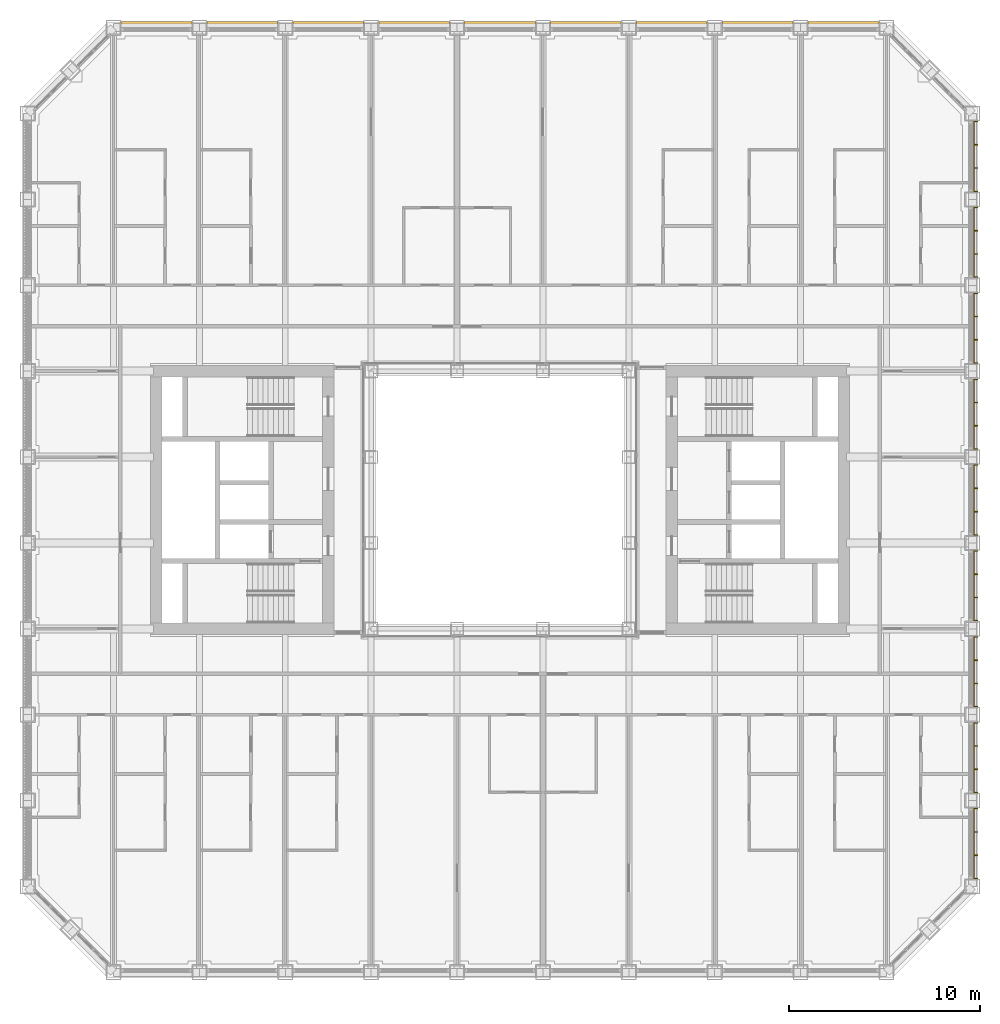
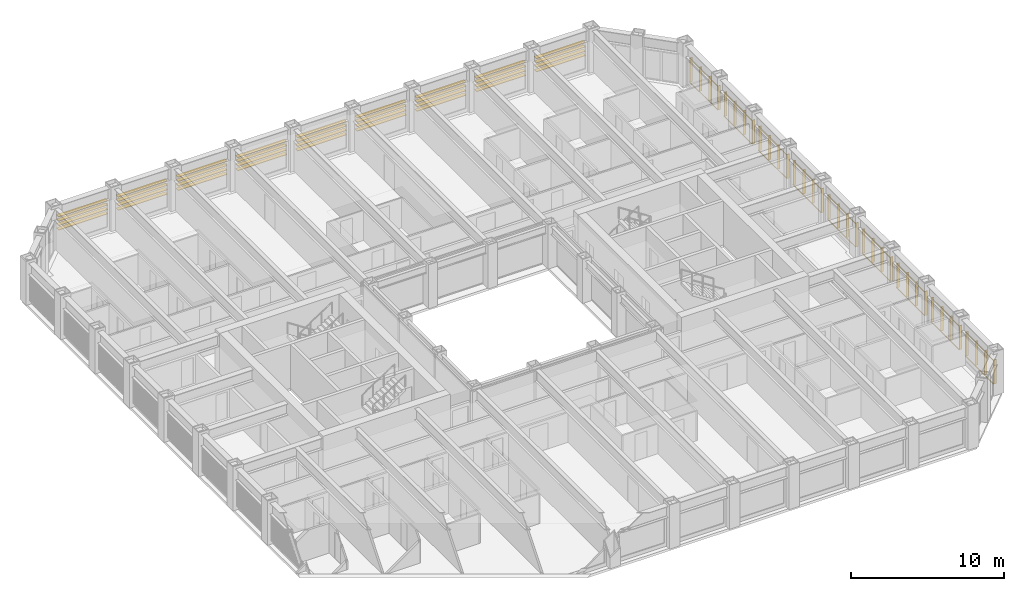
# One storey, part 21 of 21: 2 shading devices.
"""IFC4 building model written with IfcOpenShell, lengths in metres."""

from ifc_helpers import new_model, si_unit, direction, frame, origin, origin_2d, place, context, subcontext, project, spatial, rectangle, extrude, material, type_object, element, save


model = new_model("IFC4")

# Units and contexts
model_context = context("Model", 3, precision=1e-05, world=origin(), true_north=direction((0.0, 1.0)))
body_context = subcontext(model_context, "Body", "Model", "MODEL_VIEW")
ifc_project = project(units=[si_unit("LENGTHUNIT", "METRE"), si_unit("AREAUNIT", "SQUARE_METRE"), si_unit("VOLUMEUNIT", "CUBIC_METRE"), si_unit("PLANEANGLEUNIT", "RADIAN"), si_unit("MASSUNIT", "GRAM", prefix="KILO")], contexts=[model_context])

# Site, building, storey
site_placement = place(None, origin())
site = spatial("IfcSite", under=ifc_project, at=site_placement, CompositionType="ELEMENT")
building_placement = place(site_placement, origin())
building = spatial("IfcBuilding", under=site, at=building_placement, Name="Msasa Ring Tower", CompositionType="ELEMENT")
storey_placement = place(building_placement, frame((0.0, 0.0, 86.0)))
storey = spatial("IfcBuildingStorey", under=building, at=storey_placement, Name="L22", CompositionType="ELEMENT", Elevation=86.0)

# Shading devices
ifc_material_1 = material(Name="Extruded terracotta on aluminium carriers", Category="masonry")
shading_device_type_1 = type_object("IfcShadingDeviceType", Name="BS2 TERRACOTTA FIN SCREEN 40x200 AT 1350", PredefinedType="USERDEFINED", material=ifc_material_1)
shading_device_1_placement = place(storey_placement, origin())
element("IfcShadingDevice", 1, at=shading_device_1_placement, inside=storey, type_object=shading_device_type_1, Name="Terracotta fin screen E L22", ObjectType="BAGUETTE", PredefinedType="USERDEFINED", context=body_context, shape_type="SweptSolid", body=[
    extrude(rectangle(XDim=0.06005859375, YDim=0.0400390625, at=origin_2d()), frame((24.830078125, -19.85009765625, 0.330078125), z_axis=(0.0, 1.0, 0.0), x_axis=(0.0, 0.0, 1.0)), (0.0, 0.0, 1.0), 3.699951171875),
    extrude(rectangle(XDim=0.06005859375, YDim=0.0400390625, at=origin_2d()), frame((24.830078125, -19.85009765625, 2.198974609375), z_axis=(0.0, 1.0, 0.0), x_axis=(0.0, 0.0, 1.0)), (0.0, 0.0, 1.0), 3.699951171875),
    extrude(rectangle(XDim=0.0400390625, YDim=0.199951171875, at=origin_2d()), frame((24.945068359375, -19.830078125, 0.300048828125), z_axis=(0.0, 0.0, 1.0), x_axis=(0.0, 1.0, 0.0)), (0.0, 0.0, 1.0), 1.928955078125),
    extrude(rectangle(XDim=0.0400390625, YDim=0.199951171875, at=origin_2d()), frame((24.945068359375, -18.610107421875, 0.300048828125), z_axis=(0.0, 0.0, 1.0), x_axis=(0.0, 1.0, 0.0)), (0.0, 0.0, 1.0), 1.928955078125),
    extrude(rectangle(XDim=0.0400390625, YDim=0.199951171875, at=origin_2d()), frame((24.945068359375, -17.389892578125, 0.300048828125), z_axis=(0.0, 0.0, 1.0), x_axis=(0.0, 1.0, 0.0)), (0.0, 0.0, 1.0), 1.928955078125),
    extrude(rectangle(XDim=0.0400390625, YDim=0.199951171875, at=origin_2d()), frame((24.945068359375, -16.169921875, 0.300048828125), z_axis=(0.0, 0.0, 1.0), x_axis=(0.0, 1.0, 0.0)), (0.0, 0.0, 1.0), 1.928955078125),
    extrude(rectangle(XDim=0.06005859375, YDim=0.0400390625, at=origin_2d()), frame((24.830078125, -15.35009765625, 0.330078125), z_axis=(0.0, 1.0, 0.0), x_axis=(0.0, 0.0, 1.0)), (0.0, 0.0, 1.0), 3.699951171875),
    extrude(rectangle(XDim=0.06005859375, YDim=0.0400390625, at=origin_2d()), frame((24.830078125, -15.35009765625, 2.198974609375), z_axis=(0.0, 1.0, 0.0), x_axis=(0.0, 0.0, 1.0)), (0.0, 0.0, 1.0), 3.699951171875),
    extrude(rectangle(XDim=0.0400390625, YDim=0.199951171875, at=origin_2d()), frame((24.945068359375, -15.330078125, 0.300048828125), z_axis=(0.0, 0.0, 1.0), x_axis=(0.0, 1.0, 0.0)), (0.0, 0.0, 1.0), 1.928955078125),
    extrude(rectangle(XDim=0.0400390625, YDim=0.199951171875, at=origin_2d()), frame((24.945068359375, -14.110107421875, 0.300048828125), z_axis=(0.0, 0.0, 1.0), x_axis=(0.0, 1.0, 0.0)), (0.0, 0.0, 1.0), 1.928955078125),
    extrude(rectangle(XDim=0.0400390625, YDim=0.199951171875, at=origin_2d()), frame((24.945068359375, -12.889892578125, 0.300048828125), z_axis=(0.0, 0.0, 1.0), x_axis=(0.0, 1.0, 0.0)), (0.0, 0.0, 1.0), 1.928955078125),
    extrude(rectangle(XDim=0.0400390625, YDim=0.199951171875, at=origin_2d()), frame((24.945068359375, -11.669921875, 0.300048828125), z_axis=(0.0, 0.0, 1.0), x_axis=(0.0, 1.0, 0.0)), (0.0, 0.0, 1.0), 1.928955078125),
    extrude(rectangle(XDim=0.06005859375, YDim=0.0400390625, at=origin_2d()), frame((24.830078125, -10.85009765625, 0.330078125), z_axis=(0.0, 1.0, 0.0), x_axis=(0.0, 0.0, 1.0)), (0.0, 0.0, 1.0), 3.699951171875),
    extrude(rectangle(XDim=0.06005859375, YDim=0.0400390625, at=origin_2d()), frame((24.830078125, -10.85009765625, 2.198974609375), z_axis=(0.0, 1.0, 0.0), x_axis=(0.0, 0.0, 1.0)), (0.0, 0.0, 1.0), 3.699951171875),
    extrude(rectangle(XDim=0.0400390625, YDim=0.199951171875, at=origin_2d()), frame((24.945068359375, -10.830078125, 0.300048828125), z_axis=(0.0, 0.0, 1.0), x_axis=(0.0, 1.0, 0.0)), (0.0, 0.0, 1.0), 1.928955078125),
    extrude(rectangle(XDim=0.0400390625, YDim=0.199951171875, at=origin_2d()), frame((24.945068359375, -9.610107421875, 0.300048828125), z_axis=(0.0, 0.0, 1.0), x_axis=(0.0, 1.0, 0.0)), (0.0, 0.0, 1.0), 1.928955078125),
    extrude(rectangle(XDim=0.0400390625, YDim=0.199951171875, at=origin_2d()), frame((24.945068359375, -8.389892578125, 0.300048828125), z_axis=(0.0, 0.0, 1.0), x_axis=(0.0, 1.0, 0.0)), (0.0, 0.0, 1.0), 1.928955078125),
    extrude(rectangle(XDim=0.0400390625, YDim=0.199951171875, at=origin_2d()), frame((24.945068359375, -7.169921875, 0.300048828125), z_axis=(0.0, 0.0, 1.0), x_axis=(0.0, 1.0, 0.0)), (0.0, 0.0, 1.0), 1.928955078125),
    extrude(rectangle(XDim=0.06005859375, YDim=0.0400390625, at=origin_2d()), frame((24.830078125, -6.35009765625, 0.330078125), z_axis=(0.0, 1.0, 0.0), x_axis=(0.0, 0.0, 1.0)), (0.0, 0.0, 1.0), 3.699951171875),
    extrude(rectangle(XDim=0.06005859375, YDim=0.0400390625, at=origin_2d()), frame((24.830078125, -6.35009765625, 2.198974609375), z_axis=(0.0, 1.0, 0.0), x_axis=(0.0, 0.0, 1.0)), (0.0, 0.0, 1.0), 3.699951171875),
    extrude(rectangle(XDim=0.0400390625, YDim=0.199951171875, at=origin_2d()), frame((24.945068359375, -6.330078125, 0.300048828125), z_axis=(0.0, 0.0, 1.0), x_axis=(0.0, 1.0, 0.0)), (0.0, 0.0, 1.0), 1.928955078125),
    extrude(rectangle(XDim=0.0400390625, YDim=0.199951171875, at=origin_2d()), frame((24.945068359375, -5.110107421875, 0.300048828125), z_axis=(0.0, 0.0, 1.0), x_axis=(0.0, 1.0, 0.0)), (0.0, 0.0, 1.0), 1.928955078125),
    extrude(rectangle(XDim=0.0400390625, YDim=0.199951171875, at=origin_2d()), frame((24.945068359375, -3.889892578125, 0.300048828125), z_axis=(0.0, 0.0, 1.0), x_axis=(0.0, 1.0, 0.0)), (0.0, 0.0, 1.0), 1.928955078125),
    extrude(rectangle(XDim=0.0400390625, YDim=0.199951171875, at=origin_2d()), frame((24.945068359375, -2.669921875, 0.300048828125), z_axis=(0.0, 0.0, 1.0), x_axis=(0.0, 1.0, 0.0)), (0.0, 0.0, 1.0), 1.928955078125),
    extrude(rectangle(XDim=0.06005859375, YDim=0.0400390625, at=origin_2d()), frame((24.830078125, -1.85009765625, 0.330078125), z_axis=(0.0, 1.0, 0.0), x_axis=(0.0, 0.0, 1.0)), (0.0, 0.0, 1.0), 3.699951171875),
    extrude(rectangle(XDim=0.06005859375, YDim=0.0400390625, at=origin_2d()), frame((24.830078125, -1.85009765625, 2.198974609375), z_axis=(0.0, 1.0, 0.0), x_axis=(0.0, 0.0, 1.0)), (0.0, 0.0, 1.0), 3.699951171875),
    extrude(rectangle(XDim=0.0400390625, YDim=0.199951171875, at=origin_2d()), frame((24.945068359375, -1.830078125, 0.300048828125), z_axis=(0.0, 0.0, 1.0), x_axis=(0.0, 1.0, 0.0)), (0.0, 0.0, 1.0), 1.928955078125),
    extrude(rectangle(XDim=0.0400390625, YDim=0.199951171875, at=origin_2d()), frame((24.945068359375, -0.610107421875, 0.300048828125), z_axis=(0.0, 0.0, 1.0), x_axis=(0.0, 1.0, 0.0)), (0.0, 0.0, 1.0), 1.928955078125),
    extrude(rectangle(XDim=0.0400390625, YDim=0.199951171875, at=origin_2d()), frame((24.945068359375, 0.610107421875, 0.300048828125), z_axis=(0.0, 0.0, 1.0), x_axis=(0.0, 1.0, 0.0)), (0.0, 0.0, 1.0), 1.928955078125),
    extrude(rectangle(XDim=0.0400390625, YDim=0.199951171875, at=origin_2d()), frame((24.945068359375, 1.830078125, 0.300048828125), z_axis=(0.0, 0.0, 1.0), x_axis=(0.0, 1.0, 0.0)), (0.0, 0.0, 1.0), 1.928955078125),
    extrude(rectangle(XDim=0.06005859375, YDim=0.0400390625, at=origin_2d()), frame((24.830078125, 2.64990234375, 0.330078125), z_axis=(0.0, 1.0, 0.0), x_axis=(0.0, 0.0, 1.0)), (0.0, 0.0, 1.0), 3.699951171875),
    extrude(rectangle(XDim=0.06005859375, YDim=0.0400390625, at=origin_2d()), frame((24.830078125, 2.64990234375, 2.198974609375), z_axis=(0.0, 1.0, 0.0), x_axis=(0.0, 0.0, 1.0)), (0.0, 0.0, 1.0), 3.699951171875),
    extrude(rectangle(XDim=0.0400390625, YDim=0.199951171875, at=origin_2d()), frame((24.945068359375, 2.669921875, 0.300048828125), z_axis=(0.0, 0.0, 1.0), x_axis=(0.0, 1.0, 0.0)), (0.0, 0.0, 1.0), 1.928955078125),
    extrude(rectangle(XDim=0.0400390625, YDim=0.199951171875, at=origin_2d()), frame((24.945068359375, 3.889892578125, 0.300048828125), z_axis=(0.0, 0.0, 1.0), x_axis=(0.0, 1.0, 0.0)), (0.0, 0.0, 1.0), 1.928955078125),
    extrude(rectangle(XDim=0.0400390625, YDim=0.199951171875, at=origin_2d()), frame((24.945068359375, 5.110107421875, 0.300048828125), z_axis=(0.0, 0.0, 1.0), x_axis=(0.0, 1.0, 0.0)), (0.0, 0.0, 1.0), 1.928955078125),
    extrude(rectangle(XDim=0.0400390625, YDim=0.199951171875, at=origin_2d()), frame((24.945068359375, 6.330078125, 0.300048828125), z_axis=(0.0, 0.0, 1.0), x_axis=(0.0, 1.0, 0.0)), (0.0, 0.0, 1.0), 1.928955078125),
    extrude(rectangle(XDim=0.06005859375, YDim=0.0400390625, at=origin_2d()), frame((24.830078125, 7.14990234375, 0.330078125), z_axis=(0.0, 1.0, 0.0), x_axis=(0.0, 0.0, 1.0)), (0.0, 0.0, 1.0), 3.699951171875),
    extrude(rectangle(XDim=0.06005859375, YDim=0.0400390625, at=origin_2d()), frame((24.830078125, 7.14990234375, 2.198974609375), z_axis=(0.0, 1.0, 0.0), x_axis=(0.0, 0.0, 1.0)), (0.0, 0.0, 1.0), 3.699951171875),
    extrude(rectangle(XDim=0.0400390625, YDim=0.199951171875, at=origin_2d()), frame((24.945068359375, 7.169921875, 0.300048828125), z_axis=(0.0, 0.0, 1.0), x_axis=(0.0, 1.0, 0.0)), (0.0, 0.0, 1.0), 1.928955078125),
    extrude(rectangle(XDim=0.0400390625, YDim=0.199951171875, at=origin_2d()), frame((24.945068359375, 8.389892578125, 0.300048828125), z_axis=(0.0, 0.0, 1.0), x_axis=(0.0, 1.0, 0.0)), (0.0, 0.0, 1.0), 1.928955078125),
    extrude(rectangle(XDim=0.0400390625, YDim=0.199951171875, at=origin_2d()), frame((24.945068359375, 9.610107421875, 0.300048828125), z_axis=(0.0, 0.0, 1.0), x_axis=(0.0, 1.0, 0.0)), (0.0, 0.0, 1.0), 1.928955078125),
    extrude(rectangle(XDim=0.0400390625, YDim=0.199951171875, at=origin_2d()), frame((24.945068359375, 10.830078125, 0.300048828125), z_axis=(0.0, 0.0, 1.0), x_axis=(0.0, 1.0, 0.0)), (0.0, 0.0, 1.0), 1.928955078125),
    extrude(rectangle(XDim=0.06005859375, YDim=0.0400390625, at=origin_2d()), frame((24.830078125, 11.64990234375, 0.330078125), z_axis=(0.0, 1.0, 0.0), x_axis=(0.0, 0.0, 1.0)), (0.0, 0.0, 1.0), 3.699951171875),
    extrude(rectangle(XDim=0.06005859375, YDim=0.0400390625, at=origin_2d()), frame((24.830078125, 11.64990234375, 2.198974609375), z_axis=(0.0, 1.0, 0.0), x_axis=(0.0, 0.0, 1.0)), (0.0, 0.0, 1.0), 3.699951171875),
    extrude(rectangle(XDim=0.0400390625, YDim=0.199951171875, at=origin_2d()), frame((24.945068359375, 11.669921875, 0.300048828125), z_axis=(0.0, 0.0, 1.0), x_axis=(0.0, 1.0, 0.0)), (0.0, 0.0, 1.0), 1.928955078125),
    extrude(rectangle(XDim=0.0400390625, YDim=0.199951171875, at=origin_2d()), frame((24.945068359375, 12.889892578125, 0.300048828125), z_axis=(0.0, 0.0, 1.0), x_axis=(0.0, 1.0, 0.0)), (0.0, 0.0, 1.0), 1.928955078125),
    extrude(rectangle(XDim=0.0400390625, YDim=0.199951171875, at=origin_2d()), frame((24.945068359375, 14.110107421875, 0.300048828125), z_axis=(0.0, 0.0, 1.0), x_axis=(0.0, 1.0, 0.0)), (0.0, 0.0, 1.0), 1.928955078125),
    extrude(rectangle(XDim=0.0400390625, YDim=0.199951171875, at=origin_2d()), frame((24.945068359375, 15.330078125, 0.300048828125), z_axis=(0.0, 0.0, 1.0), x_axis=(0.0, 1.0, 0.0)), (0.0, 0.0, 1.0), 1.928955078125),
    extrude(rectangle(XDim=0.06005859375, YDim=0.0400390625, at=origin_2d()), frame((24.830078125, 16.14990234375, 0.330078125), z_axis=(0.0, 1.0, 0.0), x_axis=(0.0, 0.0, 1.0)), (0.0, 0.0, 1.0), 3.699951171875),
    extrude(rectangle(XDim=0.06005859375, YDim=0.0400390625, at=origin_2d()), frame((24.830078125, 16.14990234375, 2.198974609375), z_axis=(0.0, 1.0, 0.0), x_axis=(0.0, 0.0, 1.0)), (0.0, 0.0, 1.0), 3.699951171875),
    extrude(rectangle(XDim=0.0400390625, YDim=0.199951171875, at=origin_2d()), frame((24.945068359375, 16.169921875, 0.300048828125), z_axis=(0.0, 0.0, 1.0), x_axis=(0.0, 1.0, 0.0)), (0.0, 0.0, 1.0), 1.928955078125),
    extrude(rectangle(XDim=0.0400390625, YDim=0.199951171875, at=origin_2d()), frame((24.945068359375, 17.389892578125, 0.300048828125), z_axis=(0.0, 0.0, 1.0), x_axis=(0.0, 1.0, 0.0)), (0.0, 0.0, 1.0), 1.928955078125),
    extrude(rectangle(XDim=0.0400390625, YDim=0.199951171875, at=origin_2d()), frame((24.945068359375, 18.610107421875, 0.300048828125), z_axis=(0.0, 0.0, 1.0), x_axis=(0.0, 1.0, 0.0)), (0.0, 0.0, 1.0), 1.928955078125),
    extrude(rectangle(XDim=0.0400390625, YDim=0.199951171875, at=origin_2d()), frame((24.945068359375, 19.830078125, 0.300048828125), z_axis=(0.0, 0.0, 1.0), x_axis=(0.0, 1.0, 0.0)), (0.0, 0.0, 1.0), 1.928955078125),
])
ifc_material_2 = material(Name="Extruded terracotta blades", Category="masonry")
shading_device_type_2 = type_object("IfcShadingDeviceType", Name="SS1 TERRACOTTA SUNSHADE 4 BLADES 300x40 AT 350", PredefinedType="USERDEFINED", material=ifc_material_2)
shading_device_2_placement = place(storey_placement, origin())
element("IfcShadingDevice", 2, at=shading_device_2_placement, inside=storey, type_object=shading_device_type_2, Name="Terracotta sunshade N L22", ObjectType="SUNSHADE", PredefinedType="USERDEFINED", context=body_context, shape_type="SweptSolid", body=[
    extrude(rectangle(XDim=0.0400390625, YDim=0.300048828125, at=origin_2d()), frame((-19.85009765625, 24.929931640625, 2.208984375), z_axis=(1.0, 0.0, 0.0), x_axis=(0.0, 0.0, 1.0)), (0.0, 0.0, 1.0), 3.699951171875),
    extrude(rectangle(XDim=0.0400390625, YDim=0.300048828125, at=origin_2d()), frame((-19.85009765625, 24.929931640625, 1.85888671875), z_axis=(1.0, 0.0, 0.0), x_axis=(0.0, 0.0, 1.0)), (0.0, 0.0, 1.0), 3.699951171875),
    extrude(rectangle(XDim=0.0400390625, YDim=0.300048828125, at=origin_2d()), frame((-19.85009765625, 24.929931640625, 1.509033203125), z_axis=(1.0, 0.0, 0.0), x_axis=(0.0, 0.0, 1.0)), (0.0, 0.0, 1.0), 3.699951171875),
    extrude(rectangle(XDim=0.0400390625, YDim=0.300048828125, at=origin_2d()), frame((-19.85009765625, 24.929931640625, 1.158935546875), z_axis=(1.0, 0.0, 0.0), x_axis=(0.0, 0.0, 1.0)), (0.0, 0.0, 1.0), 3.699951171875),
    extrude(rectangle(XDim=0.0400390625, YDim=0.300048828125, at=origin_2d()), frame((-15.35009765625, 24.929931640625, 2.208984375), z_axis=(1.0, 0.0, 0.0), x_axis=(0.0, 0.0, 1.0)), (0.0, 0.0, 1.0), 3.699951171875),
    extrude(rectangle(XDim=0.0400390625, YDim=0.300048828125, at=origin_2d()), frame((-15.35009765625, 24.929931640625, 1.85888671875), z_axis=(1.0, 0.0, 0.0), x_axis=(0.0, 0.0, 1.0)), (0.0, 0.0, 1.0), 3.699951171875),
    extrude(rectangle(XDim=0.0400390625, YDim=0.300048828125, at=origin_2d()), frame((-15.35009765625, 24.929931640625, 1.509033203125), z_axis=(1.0, 0.0, 0.0), x_axis=(0.0, 0.0, 1.0)), (0.0, 0.0, 1.0), 3.699951171875),
    extrude(rectangle(XDim=0.0400390625, YDim=0.300048828125, at=origin_2d()), frame((-15.35009765625, 24.929931640625, 1.158935546875), z_axis=(1.0, 0.0, 0.0), x_axis=(0.0, 0.0, 1.0)), (0.0, 0.0, 1.0), 3.699951171875),
    extrude(rectangle(XDim=0.0400390625, YDim=0.300048828125, at=origin_2d()), frame((-10.85009765625, 24.929931640625, 2.208984375), z_axis=(1.0, 0.0, 0.0), x_axis=(0.0, 0.0, 1.0)), (0.0, 0.0, 1.0), 3.699951171875),
    extrude(rectangle(XDim=0.0400390625, YDim=0.300048828125, at=origin_2d()), frame((-10.85009765625, 24.929931640625, 1.85888671875), z_axis=(1.0, 0.0, 0.0), x_axis=(0.0, 0.0, 1.0)), (0.0, 0.0, 1.0), 3.699951171875),
    extrude(rectangle(XDim=0.0400390625, YDim=0.300048828125, at=origin_2d()), frame((-10.85009765625, 24.929931640625, 1.509033203125), z_axis=(1.0, 0.0, 0.0), x_axis=(0.0, 0.0, 1.0)), (0.0, 0.0, 1.0), 3.699951171875),
    extrude(rectangle(XDim=0.0400390625, YDim=0.300048828125, at=origin_2d()), frame((-10.85009765625, 24.929931640625, 1.158935546875), z_axis=(1.0, 0.0, 0.0), x_axis=(0.0, 0.0, 1.0)), (0.0, 0.0, 1.0), 3.699951171875),
    extrude(rectangle(XDim=0.0400390625, YDim=0.300048828125, at=origin_2d()), frame((-6.35009765625, 24.929931640625, 2.208984375), z_axis=(1.0, 0.0, 0.0), x_axis=(0.0, 0.0, 1.0)), (0.0, 0.0, 1.0), 3.699951171875),
    extrude(rectangle(XDim=0.0400390625, YDim=0.300048828125, at=origin_2d()), frame((-6.35009765625, 24.929931640625, 1.85888671875), z_axis=(1.0, 0.0, 0.0), x_axis=(0.0, 0.0, 1.0)), (0.0, 0.0, 1.0), 3.699951171875),
    extrude(rectangle(XDim=0.0400390625, YDim=0.300048828125, at=origin_2d()), frame((-6.35009765625, 24.929931640625, 1.509033203125), z_axis=(1.0, 0.0, 0.0), x_axis=(0.0, 0.0, 1.0)), (0.0, 0.0, 1.0), 3.699951171875),
    extrude(rectangle(XDim=0.0400390625, YDim=0.300048828125, at=origin_2d()), frame((-6.35009765625, 24.929931640625, 1.158935546875), z_axis=(1.0, 0.0, 0.0), x_axis=(0.0, 0.0, 1.0)), (0.0, 0.0, 1.0), 3.699951171875),
    extrude(rectangle(XDim=0.0400390625, YDim=0.300048828125, at=origin_2d()), frame((-1.85009765625, 24.929931640625, 2.208984375), z_axis=(1.0, 0.0, 0.0), x_axis=(0.0, 0.0, 1.0)), (0.0, 0.0, 1.0), 3.699951171875),
    extrude(rectangle(XDim=0.0400390625, YDim=0.300048828125, at=origin_2d()), frame((-1.85009765625, 24.929931640625, 1.85888671875), z_axis=(1.0, 0.0, 0.0), x_axis=(0.0, 0.0, 1.0)), (0.0, 0.0, 1.0), 3.699951171875),
    extrude(rectangle(XDim=0.0400390625, YDim=0.300048828125, at=origin_2d()), frame((-1.85009765625, 24.929931640625, 1.509033203125), z_axis=(1.0, 0.0, 0.0), x_axis=(0.0, 0.0, 1.0)), (0.0, 0.0, 1.0), 3.699951171875),
    extrude(rectangle(XDim=0.0400390625, YDim=0.300048828125, at=origin_2d()), frame((-1.85009765625, 24.929931640625, 1.158935546875), z_axis=(1.0, 0.0, 0.0), x_axis=(0.0, 0.0, 1.0)), (0.0, 0.0, 1.0), 3.699951171875),
    extrude(rectangle(XDim=0.0400390625, YDim=0.300048828125, at=origin_2d()), frame((2.64990234375, 24.929931640625, 2.208984375), z_axis=(1.0, 0.0, 0.0), x_axis=(0.0, 0.0, 1.0)), (0.0, 0.0, 1.0), 3.699951171875),
    extrude(rectangle(XDim=0.0400390625, YDim=0.300048828125, at=origin_2d()), frame((2.64990234375, 24.929931640625, 1.85888671875), z_axis=(1.0, 0.0, 0.0), x_axis=(0.0, 0.0, 1.0)), (0.0, 0.0, 1.0), 3.699951171875),
    extrude(rectangle(XDim=0.0400390625, YDim=0.300048828125, at=origin_2d()), frame((2.64990234375, 24.929931640625, 1.509033203125), z_axis=(1.0, 0.0, 0.0), x_axis=(0.0, 0.0, 1.0)), (0.0, 0.0, 1.0), 3.699951171875),
    extrude(rectangle(XDim=0.0400390625, YDim=0.300048828125, at=origin_2d()), frame((2.64990234375, 24.929931640625, 1.158935546875), z_axis=(1.0, 0.0, 0.0), x_axis=(0.0, 0.0, 1.0)), (0.0, 0.0, 1.0), 3.699951171875),
    extrude(rectangle(XDim=0.0400390625, YDim=0.300048828125, at=origin_2d()), frame((7.14990234375, 24.929931640625, 2.208984375), z_axis=(1.0, 0.0, 0.0), x_axis=(0.0, 0.0, 1.0)), (0.0, 0.0, 1.0), 3.699951171875),
    extrude(rectangle(XDim=0.0400390625, YDim=0.300048828125, at=origin_2d()), frame((7.14990234375, 24.929931640625, 1.85888671875), z_axis=(1.0, 0.0, 0.0), x_axis=(0.0, 0.0, 1.0)), (0.0, 0.0, 1.0), 3.699951171875),
    extrude(rectangle(XDim=0.0400390625, YDim=0.300048828125, at=origin_2d()), frame((7.14990234375, 24.929931640625, 1.509033203125), z_axis=(1.0, 0.0, 0.0), x_axis=(0.0, 0.0, 1.0)), (0.0, 0.0, 1.0), 3.699951171875),
    extrude(rectangle(XDim=0.0400390625, YDim=0.300048828125, at=origin_2d()), frame((7.14990234375, 24.929931640625, 1.158935546875), z_axis=(1.0, 0.0, 0.0), x_axis=(0.0, 0.0, 1.0)), (0.0, 0.0, 1.0), 3.699951171875),
    extrude(rectangle(XDim=0.0400390625, YDim=0.300048828125, at=origin_2d()), frame((11.64990234375, 24.929931640625, 2.208984375), z_axis=(1.0, 0.0, 0.0), x_axis=(0.0, 0.0, 1.0)), (0.0, 0.0, 1.0), 3.699951171875),
    extrude(rectangle(XDim=0.0400390625, YDim=0.300048828125, at=origin_2d()), frame((11.64990234375, 24.929931640625, 1.85888671875), z_axis=(1.0, 0.0, 0.0), x_axis=(0.0, 0.0, 1.0)), (0.0, 0.0, 1.0), 3.699951171875),
    extrude(rectangle(XDim=0.0400390625, YDim=0.300048828125, at=origin_2d()), frame((11.64990234375, 24.929931640625, 1.509033203125), z_axis=(1.0, 0.0, 0.0), x_axis=(0.0, 0.0, 1.0)), (0.0, 0.0, 1.0), 3.699951171875),
    extrude(rectangle(XDim=0.0400390625, YDim=0.300048828125, at=origin_2d()), frame((11.64990234375, 24.929931640625, 1.158935546875), z_axis=(1.0, 0.0, 0.0), x_axis=(0.0, 0.0, 1.0)), (0.0, 0.0, 1.0), 3.699951171875),
    extrude(rectangle(XDim=0.0400390625, YDim=0.300048828125, at=origin_2d()), frame((16.14990234375, 24.929931640625, 2.208984375), z_axis=(1.0, 0.0, 0.0), x_axis=(0.0, 0.0, 1.0)), (0.0, 0.0, 1.0), 3.699951171875),
    extrude(rectangle(XDim=0.0400390625, YDim=0.300048828125, at=origin_2d()), frame((16.14990234375, 24.929931640625, 1.85888671875), z_axis=(1.0, 0.0, 0.0), x_axis=(0.0, 0.0, 1.0)), (0.0, 0.0, 1.0), 3.699951171875),
    extrude(rectangle(XDim=0.0400390625, YDim=0.300048828125, at=origin_2d()), frame((16.14990234375, 24.929931640625, 1.509033203125), z_axis=(1.0, 0.0, 0.0), x_axis=(0.0, 0.0, 1.0)), (0.0, 0.0, 1.0), 3.699951171875),
    extrude(rectangle(XDim=0.0400390625, YDim=0.300048828125, at=origin_2d()), frame((16.14990234375, 24.929931640625, 1.158935546875), z_axis=(1.0, 0.0, 0.0), x_axis=(0.0, 0.0, 1.0)), (0.0, 0.0, 1.0), 3.699951171875),
])

save(model, "model.ifc")
